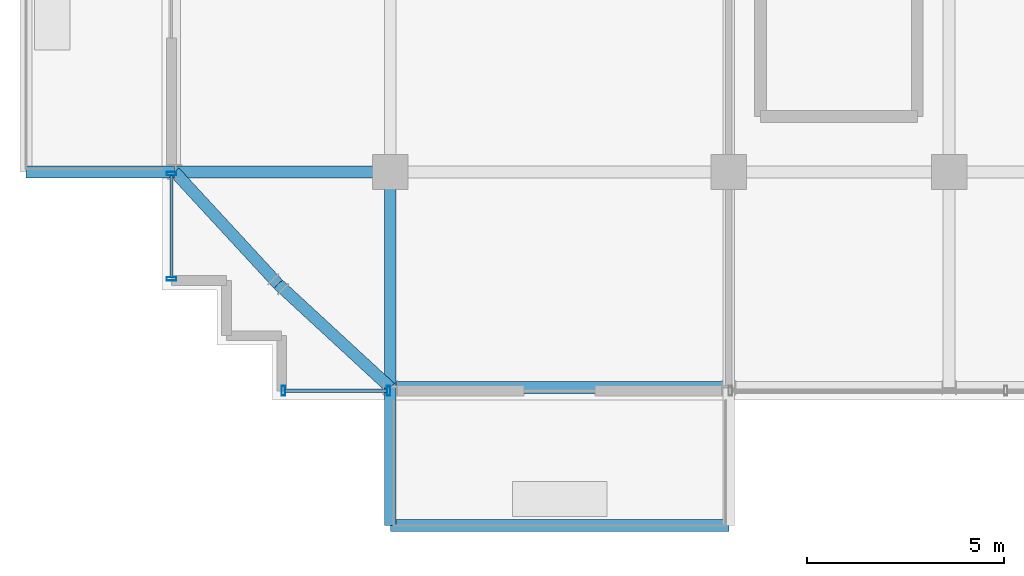
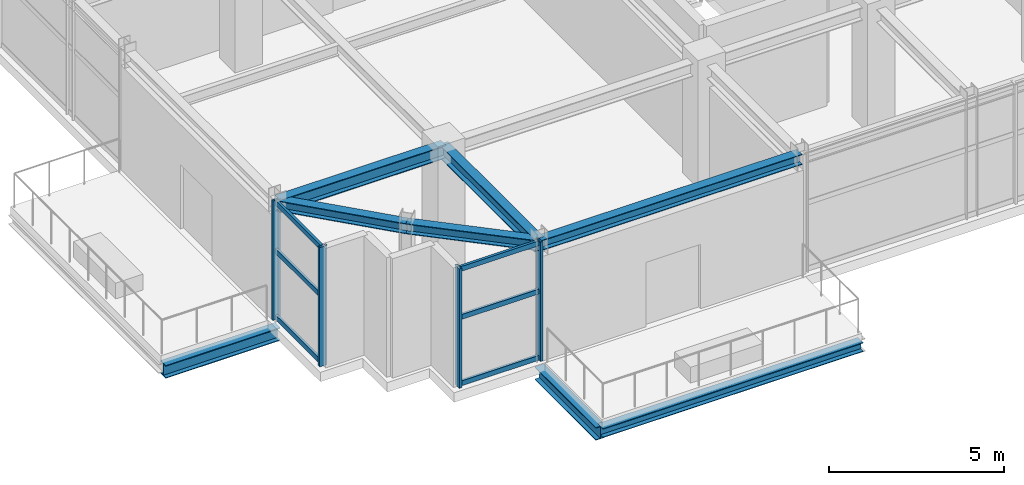
# One storey, part 4 of 25: 10 members, 8 beams, 2 elements without a shape of their own.
"""IFC4 building model written with IfcOpenShell, lengths in metres."""

from ifc_helpers import new_model, si_unit, direction, frame, origin, origin_2d, place, context, subcontext, project, spatial, hollow_rectangle, i_section, extrude, source, transform, mapped, material, material_profile, profile_set, type_object, element, aggregate, save


model = new_model("IFC4")

# Units and contexts
model_context = context("Model", 3, precision=1e-05, world=origin(), true_north=direction((0.0, 1.0)))
body_context = subcontext(model_context, "Body", "Model", "MODEL_VIEW")
ifc_project = project(units=[si_unit("LENGTHUNIT", "METRE"), si_unit("AREAUNIT", "SQUARE_METRE"), si_unit("VOLUMEUNIT", "CUBIC_METRE"), si_unit("PLANEANGLEUNIT", "RADIAN"), si_unit("MASSUNIT", "GRAM", prefix="KILO")], contexts=[model_context])

# Site, building, storey
site_placement = place(None, origin())
site = spatial("IfcSite", under=ifc_project, at=site_placement, CompositionType="ELEMENT")
building_placement = place(site_placement, origin())
building = spatial("IfcBuilding", under=site, at=building_placement, Name="Nahalor Promenade Grand Hotel", CompositionType="ELEMENT")
storey_placement = place(building_placement, frame((0.0, 0.0, 338.550048828125)))
storey = spatial("IfcBuildingStorey", under=building, at=storey_placement, Name="L87", CompositionType="ELEMENT", Elevation=338.550048828125)

# Beams
ifc_material_1 = material(Name="Steel S355JR", Category="steel")
ifc_material_profile_1 = material_profile(ifc_material_1, i_section(OverallWidth=0.3, OverallDepth=0.32, WebThickness=0.0115, FlangeThickness=0.0205, at=origin_2d()), Name="HEB 320")
ifc_profile_set_1 = profile_set([ifc_material_profile_1], Name="Steel S355JR")
beam_type_1 = type_object("IfcBeamType", Name="Beam-BalcEdge-HEB320", PredefinedType="SPANDREL", material=ifc_profile_set_1)
shared_shape_1 = source(origin(), body_context, "Body", "SweptSolid", [
    extrude(i_section(OverallWidth=0.3, OverallDepth=0.32, WebThickness=0.0115, FlangeThickness=0.0205, at=origin_2d()), origin(), (0.0, 0.0, 1.0), 8.60009765625),
])
beam_1_placement = place(storey_placement, frame((-17.0, -25.97998046875, -0.43994140625), z_axis=(1.0, 0.0, 0.0), x_axis=(0.0, 1.0, 0.0)))
element("IfcBeam", 1, at=beam_1_placement, inside=storey, type_object=beam_type_1, Name="BM-L87-BC-01-F", PredefinedType="SPANDREL", context=body_context, shape_type="MappedRepresentation", body=[
    mapped(shared_shape_1, transform((0.0, 0.0, 0.0), scale=1.0)),
])
ifc_material_profile_2 = material_profile(ifc_material_1, i_section(OverallWidth=0.3, OverallDepth=0.45, WebThickness=0.014, FlangeThickness=0.026, at=origin_2d()), Name="HEB 450")
ifc_profile_set_2 = profile_set([ifc_material_profile_2], Name="Steel S355JR")
beam_type_2 = type_object("IfcBeamType", Name="Beam-Outrigger-HEB450", PredefinedType="BEAM", material=ifc_profile_set_2)
shared_shape_2 = source(origin(), body_context, "Body", "SweptSolid", [
    extrude(i_section(OverallWidth=0.3, OverallDepth=0.45, WebThickness=0.014, FlangeThickness=0.026, at=origin_2d()), origin(), (0.0, 0.0, 1.0), 3.780029296875),
])
beam_2_placement = place(storey_placement, frame((-26.260009765625, -17.0, -0.505126953125), z_axis=(1.0, 0.0, 0.0), x_axis=(0.0, 1.0, 0.0)))
element("IfcBeam", 2, at=beam_2_placement, inside=storey, type_object=beam_type_2, Name="BM-L87-BC-02-1", PredefinedType="BEAM", context=body_context, shape_type="MappedRepresentation", body=[
    mapped(shared_shape_2, transform((0.0, 0.0, 0.0), scale=1.0)),
])
shared_shape_3 = source(origin(), body_context, "Body", "SweptSolid", [
    extrude(i_section(OverallWidth=0.3, OverallDepth=0.45, WebThickness=0.014, FlangeThickness=0.026, at=origin_2d()), origin(), (0.0, 0.0, 1.0), 3.5),
])
beam_3_placement = place(storey_placement, frame((-17.0, -25.97998046875, -0.505126953125), z_axis=(0.0, 1.0, 0.0), x_axis=(-1.0, 0.0, 0.0)))
element("IfcBeam", 3, at=beam_3_placement, inside=storey, type_object=beam_type_2, Name="BM-L87-BC-01-1", PredefinedType="BEAM", context=body_context, shape_type="MappedRepresentation", body=[
    mapped(shared_shape_3, transform((0.0, 0.0, 0.0), scale=1.0)),
])
ifc_material_profile_3 = material_profile(ifc_material_1, i_section(OverallWidth=0.3, OverallDepth=0.45, WebThickness=0.014, FlangeThickness=0.026, at=origin_2d()), Name="HEB 450")
ifc_profile_set_3 = profile_set([ifc_material_profile_3], Name="Steel S355JR")
beam_type_3 = type_object("IfcBeamType", Name="Beam-Girder-HEB450", PredefinedType="BEAM", material=ifc_profile_set_3)
shared_shape_4 = source(origin(), body_context, "Body", "SweptSolid", [
    extrude(i_section(OverallWidth=0.3, OverallDepth=0.45, WebThickness=0.014, FlangeThickness=0.026, at=origin_2d()), origin(), (0.0, 0.0, 1.0), 5.47998046875),
])
for number, where, z_axis, x_axis, name in (
    (4, (-22.47998046875, -17.0, 3.945068359375), (1.0, 0.0, 0.0), (0.0, 1.0, 0.0), "BM-L87-GX-0-0"),
    (5, (-17.0, -22.47998046875, 3.945068359375), (0.0, 1.0, 0.0), (-1.0, 0.0, 0.0), "BM-L87-GY-0-0"),
):
    element("IfcBeam", number, at=place(storey_placement, frame(where, z_axis=z_axis, x_axis=x_axis)), inside=storey, type_object=beam_type_3, Name=name, PredefinedType="BEAM", context=body_context, shape_type="MappedRepresentation", body=[
        mapped(shared_shape_4, transform((0.0, 0.0, 0.0), scale=1.0)),
    ])
ifc_material_profile_4 = material_profile(ifc_material_1, i_section(OverallWidth=0.3, OverallDepth=0.36, WebThickness=0.0125, FlangeThickness=0.0225, at=origin_2d()), Name="HEB 360")
ifc_profile_set_4 = profile_set([ifc_material_profile_4], Name="Steel S355JR")
beam_type_4 = type_object("IfcBeamType", Name="Beam-Spandrel-HEB360", PredefinedType="SPANDREL", material=ifc_profile_set_4)
shared_shape_5 = source(origin(), body_context, "Body", "SweptSolid", [
    extrude(i_section(OverallWidth=0.3, OverallDepth=0.36, WebThickness=0.0125, FlangeThickness=0.0225, at=origin_2d()), origin(), (0.0, 0.0, 1.0), 8.60009765625),
])
beam_4_placement = place(storey_placement, frame((-17.0, -22.47998046875, 3.989990234375), z_axis=(1.0, 0.0, 0.0), x_axis=(0.0, 1.0, 0.0)))
element("IfcBeam", 6, at=beam_4_placement, inside=storey, type_object=beam_type_4, Name="BM-L87-SP-S-0", PredefinedType="SPANDREL", context=body_context, shape_type="MappedRepresentation", body=[
    mapped(shared_shape_5, transform((0.0, 0.0, 0.0), scale=1.0)),
])
shared_shape_6 = source(origin(), body_context, "Body", "SweptSolid", [
    extrude(i_section(OverallWidth=0.3, OverallDepth=0.36, WebThickness=0.0125, FlangeThickness=0.0225, at=origin_2d()), origin(), (0.0, 0.0, 1.0), 3.878173828125),
])
for number, where, z_axis, x_axis, name in (
    (7, (-17.0, -22.47998046875, 3.989990234375), (-0.73492893846, 0.678144125843, 0.0), (-0.678144125843, -0.73492893846, 0.0), "BM-L87-SPC-SW-1"),
    (8, (-19.85009765625, -19.85009765625, 3.989990234375), (-0.678144125843, 0.73492893846, 0.0), (-0.73492893846, -0.678144125843, 0.0), "BM-L87-SPC-SW-2"),
):
    element("IfcBeam", number, at=place(storey_placement, frame(where, z_axis=z_axis, x_axis=x_axis)), inside=storey, type_object=beam_type_4, Name=name, PredefinedType="SPANDREL", context=body_context, shape_type="MappedRepresentation", body=[
        mapped(shared_shape_6, transform((0.0, 0.0, 0.0), scale=1.0)),
    ])

# Curtain wall, members
ifc_material_2 = material(Name="Anodised Bronze Aluminium EN AW-6063 T6", Category="aluminium")
curtain_wall_type = type_object("IfcCurtainWallType", Name="CW5 Sky-Lobby & Observation Panoramic Curtain Wall", PredefinedType="USERDEFINED", material=ifc_material_2)
curtain_wall_1_placement = place(storey_placement, origin())
curtain_wall_1 = element("IfcCurtainWall", 9, at=curtain_wall_1_placement, inside=storey, type_object=curtain_wall_type, Name="L87 Curtain Wall CW-L87-S-1", ObjectType="UNITISED_CURTAIN_WALL", PredefinedType="USERDEFINED")
ifc_material_profile_5 = material_profile(ifc_material_2, hollow_rectangle(XDim=0.085, YDim=0.25, WallThickness=0.006, at=origin_2d()), Name="CWM 85x250x6")
ifc_profile_set_5 = profile_set([ifc_material_profile_5], Name="Anodised Bronze Aluminium EN AW-6063 T6")
member_type_1 = type_object("IfcMemberType", Name="CWM5 Panoramic Deep Mullion 85x250", PredefinedType="MULLION", material=ifc_profile_set_5)
shared_shape_7 = source(origin(), body_context, "Body", "SweptSolid", [
    extrude(hollow_rectangle(XDim=0.085, YDim=0.25, WallThickness=0.006, at=origin_2d()), origin(), (0.0, 0.0, 1.0), 4.169921875),
])
member_1_placement = place(storey_placement, frame((-19.717529296875, -22.56005859375, 0.0), z_axis=(0.0, 0.0, 1.0), x_axis=(1.0, 0.0, 0.0)))
member_1 = element("IfcMember", 10, at=member_1_placement, type_object=member_type_1, Name="CW-L87-S-1 Mullion 0", PredefinedType="MULLION", context=body_context, shape_type="MappedRepresentation", body=[
    mapped(shared_shape_7, transform((0.0, 0.0, 0.0), scale=1.0)),
])
member_2_placement = place(storey_placement, frame((-17.04248046875, -22.56005859375, 0.0), z_axis=(0.0, 0.0, 1.0), x_axis=(1.0, 0.0, 0.0)))
member_2 = element("IfcMember", 11, at=member_2_placement, type_object=member_type_1, Name="CW-L87-S-1 Mullion 1", PredefinedType="MULLION", context=body_context, shape_type="MappedRepresentation", body=[
    mapped(shared_shape_7, transform((0.0, 0.0, 0.0), scale=1.0)),
])

curtain_wall_2_placement = place(storey_placement, origin())
curtain_wall_2 = element("IfcCurtainWall", 12, at=curtain_wall_2_placement, inside=storey, type_object=curtain_wall_type, Name="L87 Curtain Wall CW-L87-W-1", ObjectType="UNITISED_CURTAIN_WALL", PredefinedType="USERDEFINED")
member_3_placement = place(storey_placement, frame((-22.56005859375, -19.717529296875, 0.0), z_axis=(0.0, 0.0, 1.0), x_axis=(0.0, 1.0, 0.0)))
member_3 = element("IfcMember", 13, at=member_3_placement, type_object=member_type_1, Name="CW-L87-W-1 Mullion 0", PredefinedType="MULLION", context=body_context, shape_type="MappedRepresentation", body=[
    mapped(shared_shape_7, transform((0.0, 0.0, 0.0), scale=1.0)),
])
member_4_placement = place(storey_placement, frame((-22.56005859375, -17.04248046875, 0.0), z_axis=(0.0, 0.0, 1.0), x_axis=(0.0, 1.0, 0.0)))
member_4 = element("IfcMember", 14, at=member_4_placement, type_object=member_type_1, Name="CW-L87-W-1 Mullion 1", PredefinedType="MULLION", context=body_context, shape_type="MappedRepresentation", body=[
    mapped(shared_shape_7, transform((0.0, 0.0, 0.0), scale=1.0)),
])

# Member
ifc_material_profile_6 = material_profile(ifc_material_2, hollow_rectangle(XDim=0.085, YDim=0.17, WallThickness=0.005, at=origin_2d()), Name="CWT 85x170x5")
ifc_profile_set_6 = profile_set([ifc_material_profile_6], Name="Anodised Bronze Aluminium EN AW-6063 T6")
member_type_2 = type_object("IfcMemberType", Name="CWT5 Panoramic Transom 85x170", PredefinedType="USERDEFINED", material=ifc_profile_set_6)
shared_shape_8 = source(origin(), body_context, "Body", "SweptSolid", [
    extrude(hollow_rectangle(XDim=0.085, YDim=0.17, WallThickness=0.005, at=origin_2d()), origin(), (0.0, 0.0, 1.0), 2.590087890625),
])
member_5_placement = place(storey_placement, frame((-19.675048828125, -22.56005859375, 0.0849609375), z_axis=(1.0, 0.0, 0.0), x_axis=(0.0, 1.0, 0.0)))
member_5 = element("IfcMember", 15, at=member_5_placement, type_object=member_type_2, Name="CW-L87-S-1 Transom 0-0", ObjectType="TRANSOM", PredefinedType="USERDEFINED", context=body_context, shape_type="MappedRepresentation", body=[
    mapped(shared_shape_8, transform((0.0, 0.0, 0.0), scale=1.0)),
])

member_6_placement = place(storey_placement, frame((-19.675048828125, -22.56005859375, 2.39990234375), z_axis=(1.0, 0.0, 0.0), x_axis=(0.0, 1.0, 0.0)))
member_6 = element("IfcMember", 16, at=member_6_placement, type_object=member_type_2, Name="CW-L87-S-1 Transom 0-1", ObjectType="TRANSOM", PredefinedType="USERDEFINED", context=body_context, shape_type="MappedRepresentation", body=[
    mapped(shared_shape_8, transform((0.0, 0.0, 0.0), scale=1.0)),
])

member_7_placement = place(storey_placement, frame((-19.675048828125, -22.56005859375, 4.0849609375), z_axis=(1.0, 0.0, 0.0), x_axis=(0.0, 1.0, 0.0)))
member_7 = element("IfcMember", 17, at=member_7_placement, type_object=member_type_2, Name="CW-L87-S-1 Transom 0-2", ObjectType="TRANSOM", PredefinedType="USERDEFINED", context=body_context, shape_type="MappedRepresentation", body=[
    mapped(shared_shape_8, transform((0.0, 0.0, 0.0), scale=1.0)),
])

aggregate(curtain_wall_1, [member_1, member_2, member_5, member_6, member_7])

member_8_placement = place(storey_placement, frame((-22.56005859375, -19.675048828125, 0.0849609375), z_axis=(0.0, 1.0, 0.0), x_axis=(-1.0, 0.0, 0.0)))
member_8 = element("IfcMember", 18, at=member_8_placement, type_object=member_type_2, Name="CW-L87-W-1 Transom 0-0", ObjectType="TRANSOM", PredefinedType="USERDEFINED", context=body_context, shape_type="MappedRepresentation", body=[
    mapped(shared_shape_8, transform((0.0, 0.0, 0.0), scale=1.0)),
])

member_9_placement = place(storey_placement, frame((-22.56005859375, -19.675048828125, 2.39990234375), z_axis=(0.0, 1.0, 0.0), x_axis=(-1.0, 0.0, 0.0)))
member_9 = element("IfcMember", 19, at=member_9_placement, type_object=member_type_2, Name="CW-L87-W-1 Transom 0-1", ObjectType="TRANSOM", PredefinedType="USERDEFINED", context=body_context, shape_type="MappedRepresentation", body=[
    mapped(shared_shape_8, transform((0.0, 0.0, 0.0), scale=1.0)),
])

member_10_placement = place(storey_placement, frame((-22.56005859375, -19.675048828125, 4.0849609375), z_axis=(0.0, 1.0, 0.0), x_axis=(-1.0, 0.0, 0.0)))
member_10 = element("IfcMember", 20, at=member_10_placement, type_object=member_type_2, Name="CW-L87-W-1 Transom 0-2", ObjectType="TRANSOM", PredefinedType="USERDEFINED", context=body_context, shape_type="MappedRepresentation", body=[
    mapped(shared_shape_8, transform((0.0, 0.0, 0.0), scale=1.0)),
])

aggregate(curtain_wall_2, [member_3, member_4, member_8, member_9, member_10])

save(model, "model.ifc")
